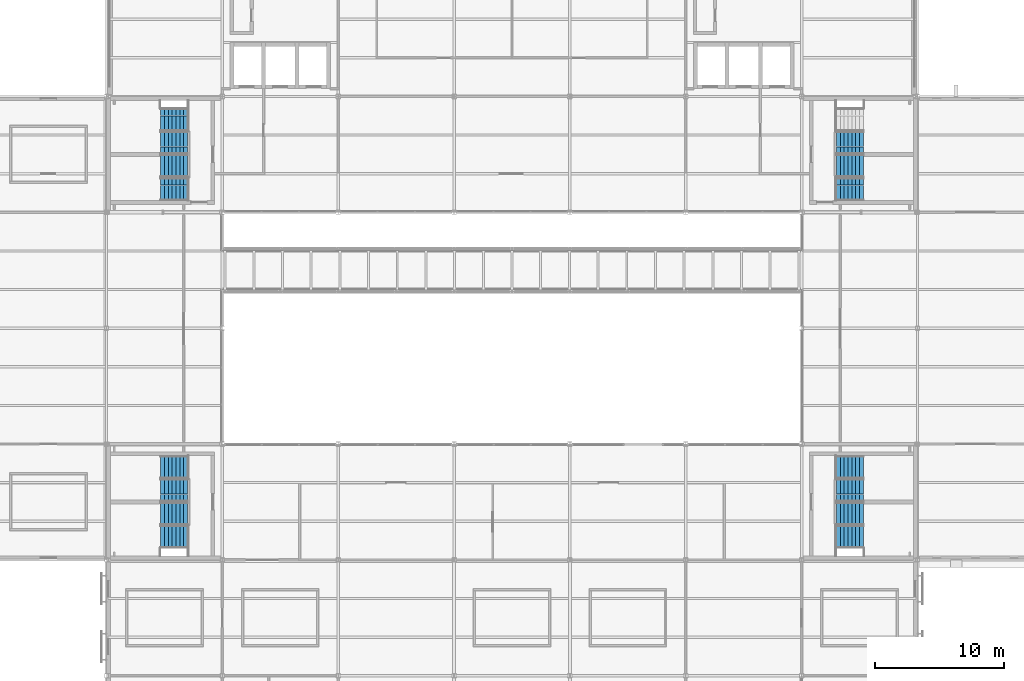
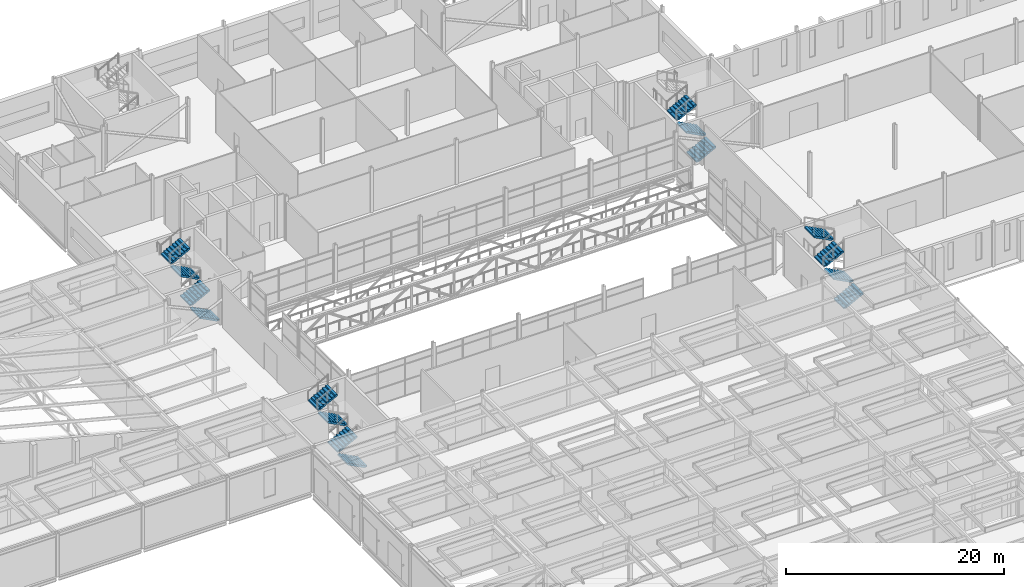
# One storey, part 92 of 115: 15 stair flights, 4 elements without a shape of their own.
"""IFC4 building model written with IfcOpenShell, lengths in metres."""

from ifc_helpers import new_model, si_unit, direction, frame, origin, place, context, subcontext, project, spatial, polyline, outline, extrude, material, type_object, element, aggregate, save


model = new_model("IFC4")

# Units and contexts
model_context = context("Model", 3, precision=1e-05, world=origin(), true_north=direction((0.0, 1.0)))
body_context = subcontext(model_context, "Body", "Model", "MODEL_VIEW")
ifc_project = project(units=[si_unit("LENGTHUNIT", "METRE"), si_unit("AREAUNIT", "SQUARE_METRE"), si_unit("VOLUMEUNIT", "CUBIC_METRE"), si_unit("PLANEANGLEUNIT", "RADIAN"), si_unit("MASSUNIT", "GRAM", prefix="KILO")], contexts=[model_context])

# Site, building, storey
site_placement = place(None, origin())
site = spatial("IfcSite", under=ifc_project, at=site_placement, CompositionType="ELEMENT")
building_placement = place(site_placement, origin())
building = spatial("IfcBuilding", under=site, at=building_placement, Name="Shorebreak Coast Museum", CompositionType="ELEMENT")
storey_placement = place(building_placement, frame((0.0, 0.0, 11.0)))
storey = spatial("IfcBuildingStorey", under=building, at=storey_placement, Name="L02", CompositionType="ELEMENT", Elevation=11.0)

# Stair, stair flights
ifc_material_1 = material(Name="Concrete N40 (40 MPa)", Category="concrete")
stair_type = type_object("IfcStairType", Name="Stair run 5 m", PredefinedType="DOUBLE_RETURN_STAIR", material=ifc_material_1)
stair_1_placement = place(storey_placement, origin())
stair_1 = element("IfcStair", 1, at=stair_1_placement, inside=storey, type_object=stair_type, Name="Exit stair ST01-L02", PredefinedType="DOUBLE_RETURN_STAIR")
ifc_material_2 = material(Name="Concrete N40 (40 MPa)", Category="concrete")
stair_flight_type = type_object("IfcStairFlightType", Name="Stair flight 8 risers 156.25", PredefinedType="STRAIGHT", material=ifc_material_2)
stair_flight_1_placement = place(storey_placement, frame((60.300048828125, 55.800048828125, 0.0), z_axis=(0.0, 0.0, 1.0), x_axis=(-1.0, 0.0, 0.0)))
stair_flight_1 = element("IfcStairFlight", 2, at=stair_flight_1_placement, type_object=stair_flight_type, Name="ST01-L02 flight 1", NumberOfRisers=8, NumberOfTreads=7, PredefinedType="STRAIGHT", RiserHeight=0.15625, TreadLength=0.3, context=body_context, shape_type="SweptSolid", body=[
    extrude(outline(polyline([(0.0, 0.0), (0.0, 0.15625), (0.300048828125, 0.15625), (0.300048828125, 0.3125), (0.60009765625, 0.3125), (0.60009765625, 0.46875), (0.89990234375, 0.46875), (0.89990234375, 0.625), (1.199951171875, 0.625), (1.199951171875, 0.78125), (1.5, 0.78125), (1.5, 0.9375), (1.800048828125, 0.9375), (1.800048828125, 1.09375), (2.10009765625, 1.09375), (2.10009765625, 1.25), (2.10009765625, 0.9248046875), (0.324462890625, 0.0), (0.0, 0.0)])), frame((0.0, 0.89990234375, 0.0), z_axis=(0.0, -1.0, 0.0), x_axis=(1.0, 0.0, 0.0)), (0.0, 0.0, 1.0), 0.59326171875),
    extrude(outline(polyline([(0.0, 0.0), (0.0, 0.15625), (0.300048828125, 0.15625), (0.300048828125, 0.3125), (0.60009765625, 0.3125), (0.60009765625, 0.46875), (0.89990234375, 0.46875), (0.89990234375, 0.625), (1.199951171875, 0.625), (1.199951171875, 0.78125), (1.5, 0.78125), (1.5, 0.9375), (1.800048828125, 0.9375), (1.800048828125, 1.09375), (2.10009765625, 1.09375), (2.10009765625, 1.25), (2.10009765625, 0.9248046875), (0.324462890625, 0.0), (0.0, 0.0)])), frame((0.0, 0.296630859375, 0.0), z_axis=(0.0, -1.0, 0.0), x_axis=(1.0, 0.0, 0.0)), (0.0, 0.0, 1.0), 0.59326171875),
    extrude(outline(polyline([(0.0, 0.0), (0.0, 0.15625), (0.300048828125, 0.15625), (0.300048828125, 0.3125), (0.60009765625, 0.3125), (0.60009765625, 0.46875), (0.89990234375, 0.46875), (0.89990234375, 0.625), (1.199951171875, 0.625), (1.199951171875, 0.78125), (1.5, 0.78125), (1.5, 0.9375), (1.800048828125, 0.9375), (1.800048828125, 1.09375), (2.10009765625, 1.09375), (2.10009765625, 1.25), (2.10009765625, 0.9248046875), (0.324462890625, 0.0), (0.0, 0.0)])), frame((0.0, -0.306640625, 0.0), z_axis=(0.0, -1.0, 0.0), x_axis=(1.0, 0.0, 0.0)), (0.0, 0.0, 1.0), 0.59326171875),
])
stair_flight_2_placement = place(storey_placement, frame((58.199951171875, 57.60009765625, 1.25), z_axis=(0.0, 0.0, 1.0), x_axis=(1.0, 0.0, 0.0)))
stair_flight_2 = element("IfcStairFlight", 3, at=stair_flight_2_placement, type_object=stair_flight_type, Name="ST01-L02 flight 2", NumberOfRisers=8, NumberOfTreads=7, PredefinedType="STRAIGHT", RiserHeight=0.15625, TreadLength=0.3, context=body_context, shape_type="SweptSolid", body=[
    extrude(outline(polyline([(0.0, 0.0), (0.0, 0.15625), (0.300048828125, 0.15625), (0.300048828125, 0.3125), (0.60009765625, 0.3125), (0.60009765625, 0.46875), (0.89990234375, 0.46875), (0.89990234375, 0.625), (1.199951171875, 0.625), (1.199951171875, 0.78125), (1.5, 0.78125), (1.5, 0.9375), (1.800048828125, 0.9375), (1.800048828125, 1.09375), (2.10009765625, 1.09375), (2.10009765625, 1.25), (2.10009765625, 0.9248046875), (0.324462890625, 0.0), (0.0, 0.0)])), frame((0.0, 0.89990234375, 0.0), z_axis=(0.0, -1.0, 0.0), x_axis=(1.0, 0.0, 0.0)), (0.0, 0.0, 1.0), 0.59326171875),
    extrude(outline(polyline([(0.0, 0.0), (0.0, 0.15625), (0.300048828125, 0.15625), (0.300048828125, 0.3125), (0.60009765625, 0.3125), (0.60009765625, 0.46875), (0.89990234375, 0.46875), (0.89990234375, 0.625), (1.199951171875, 0.625), (1.199951171875, 0.78125), (1.5, 0.78125), (1.5, 0.9375), (1.800048828125, 0.9375), (1.800048828125, 1.09375), (2.10009765625, 1.09375), (2.10009765625, 1.25), (2.10009765625, 0.9248046875), (0.324462890625, 0.0), (0.0, 0.0)])), frame((0.0, 0.296630859375, 0.0), z_axis=(0.0, -1.0, 0.0), x_axis=(1.0, 0.0, 0.0)), (0.0, 0.0, 1.0), 0.59326171875),
    extrude(outline(polyline([(0.0, 0.0), (0.0, 0.15625), (0.300048828125, 0.15625), (0.300048828125, 0.3125), (0.60009765625, 0.3125), (0.60009765625, 0.46875), (0.89990234375, 0.46875), (0.89990234375, 0.625), (1.199951171875, 0.625), (1.199951171875, 0.78125), (1.5, 0.78125), (1.5, 0.9375), (1.800048828125, 0.9375), (1.800048828125, 1.09375), (2.10009765625, 1.09375), (2.10009765625, 1.25), (2.10009765625, 0.9248046875), (0.324462890625, 0.0), (0.0, 0.0)])), frame((0.0, -0.306640625, 0.0), z_axis=(0.0, -1.0, 0.0), x_axis=(1.0, 0.0, 0.0)), (0.0, 0.0, 1.0), 0.59326171875),
])
stair_flight_3_placement = place(storey_placement, frame((60.300048828125, 59.39990234375, 2.5), z_axis=(0.0, 0.0, 1.0), x_axis=(-1.0, 0.0, 0.0)))
stair_flight_3 = element("IfcStairFlight", 4, at=stair_flight_3_placement, type_object=stair_flight_type, Name="ST01-L02 flight 3", NumberOfRisers=8, NumberOfTreads=7, PredefinedType="STRAIGHT", RiserHeight=0.15625, TreadLength=0.3, context=body_context, shape_type="SweptSolid", body=[
    extrude(outline(polyline([(0.0, 0.0), (0.0, 0.15625), (0.300048828125, 0.15625), (0.300048828125, 0.3125), (0.60009765625, 0.3125), (0.60009765625, 0.46875), (0.89990234375, 0.46875), (0.89990234375, 0.625), (1.199951171875, 0.625), (1.199951171875, 0.78125), (1.5, 0.78125), (1.5, 0.9375), (1.800048828125, 0.9375), (1.800048828125, 1.09375), (2.10009765625, 1.09375), (2.10009765625, 1.25), (2.10009765625, 0.9248046875), (0.324462890625, 0.0), (0.0, 0.0)])), frame((0.0, 0.89990234375, 0.0), z_axis=(0.0, -1.0, 0.0), x_axis=(1.0, 0.0, 0.0)), (0.0, 0.0, 1.0), 0.59326171875),
    extrude(outline(polyline([(0.0, 0.0), (0.0, 0.15625), (0.300048828125, 0.15625), (0.300048828125, 0.3125), (0.60009765625, 0.3125), (0.60009765625, 0.46875), (0.89990234375, 0.46875), (0.89990234375, 0.625), (1.199951171875, 0.625), (1.199951171875, 0.78125), (1.5, 0.78125), (1.5, 0.9375), (1.800048828125, 0.9375), (1.800048828125, 1.09375), (2.10009765625, 1.09375), (2.10009765625, 1.25), (2.10009765625, 0.9248046875), (0.324462890625, 0.0), (0.0, 0.0)])), frame((0.0, 0.296630859375, 0.0), z_axis=(0.0, -1.0, 0.0), x_axis=(1.0, 0.0, 0.0)), (0.0, 0.0, 1.0), 0.59326171875),
    extrude(outline(polyline([(0.0, 0.0), (0.0, 0.15625), (0.300048828125, 0.15625), (0.300048828125, 0.3125), (0.60009765625, 0.3125), (0.60009765625, 0.46875), (0.89990234375, 0.46875), (0.89990234375, 0.625), (1.199951171875, 0.625), (1.199951171875, 0.78125), (1.5, 0.78125), (1.5, 0.9375), (1.800048828125, 0.9375), (1.800048828125, 1.09375), (2.10009765625, 1.09375), (2.10009765625, 1.25), (2.10009765625, 0.9248046875), (0.324462890625, 0.0), (0.0, 0.0)])), frame((0.0, -0.306640625, 0.0), z_axis=(0.0, -1.0, 0.0), x_axis=(1.0, 0.0, 0.0)), (0.0, 0.0, 1.0), 0.59326171875),
])
stair_flight_4_placement = place(storey_placement, frame((58.199951171875, 61.199951171875, 3.75), z_axis=(0.0, 0.0, 1.0), x_axis=(1.0, 0.0, 0.0)))
stair_flight_4 = element("IfcStairFlight", 5, at=stair_flight_4_placement, type_object=stair_flight_type, Name="ST01-L02 flight 4", NumberOfRisers=8, NumberOfTreads=7, PredefinedType="STRAIGHT", RiserHeight=0.15625, TreadLength=0.3, context=body_context, shape_type="SweptSolid", body=[
    extrude(outline(polyline([(0.0, 0.0), (0.0, 0.15625), (0.300048828125, 0.15625), (0.300048828125, 0.3125), (0.60009765625, 0.3125), (0.60009765625, 0.46875), (0.89990234375, 0.46875), (0.89990234375, 0.625), (1.199951171875, 0.625), (1.199951171875, 0.78125), (1.5, 0.78125), (1.5, 0.9375), (1.800048828125, 0.9375), (1.800048828125, 1.09375), (2.10009765625, 1.09375), (2.10009765625, 1.25), (2.10009765625, 0.9248046875), (0.324462890625, 0.0), (0.0, 0.0)])), frame((0.0, 0.89990234375, 0.0), z_axis=(0.0, -1.0, 0.0), x_axis=(1.0, 0.0, 0.0)), (0.0, 0.0, 1.0), 0.59326171875),
    extrude(outline(polyline([(0.0, 0.0), (0.0, 0.15625), (0.300048828125, 0.15625), (0.300048828125, 0.3125), (0.60009765625, 0.3125), (0.60009765625, 0.46875), (0.89990234375, 0.46875), (0.89990234375, 0.625), (1.199951171875, 0.625), (1.199951171875, 0.78125), (1.5, 0.78125), (1.5, 0.9375), (1.800048828125, 0.9375), (1.800048828125, 1.09375), (2.10009765625, 1.09375), (2.10009765625, 1.25), (2.10009765625, 0.9248046875), (0.324462890625, 0.0), (0.0, 0.0)])), frame((0.0, 0.296630859375, 0.0), z_axis=(0.0, -1.0, 0.0), x_axis=(1.0, 0.0, 0.0)), (0.0, 0.0, 1.0), 0.59326171875),
    extrude(outline(polyline([(0.0, 0.0), (0.0, 0.15625), (0.300048828125, 0.15625), (0.300048828125, 0.3125), (0.60009765625, 0.3125), (0.60009765625, 0.46875), (0.89990234375, 0.46875), (0.89990234375, 0.625), (1.199951171875, 0.625), (1.199951171875, 0.78125), (1.5, 0.78125), (1.5, 0.9375), (1.800048828125, 0.9375), (1.800048828125, 1.09375), (2.10009765625, 1.09375), (2.10009765625, 1.25), (2.10009765625, 0.9248046875), (0.324462890625, 0.0), (0.0, 0.0)])), frame((0.0, -0.306640625, 0.0), z_axis=(0.0, -1.0, 0.0), x_axis=(1.0, 0.0, 0.0)), (0.0, 0.0, 1.0), 0.59326171875),
])
aggregate(stair_1, [stair_flight_1, stair_flight_2, stair_flight_3, stair_flight_4])

stair_2_placement = place(storey_placement, origin())
stair_2 = element("IfcStair", 6, at=stair_2_placement, inside=storey, type_object=stair_type, Name="Exit stair ST02-L02", PredefinedType="DOUBLE_RETURN_STAIR")
stair_flight_5_placement = place(storey_placement, frame((110.699951171875, 55.800048828125, 0.0), z_axis=(0.0, 0.0, 1.0), x_axis=(1.0, 0.0, 0.0)))
stair_flight_5 = element("IfcStairFlight", 7, at=stair_flight_5_placement, type_object=stair_flight_type, Name="ST02-L02 flight 1", NumberOfRisers=8, NumberOfTreads=7, PredefinedType="STRAIGHT", RiserHeight=0.15625, TreadLength=0.3, context=body_context, shape_type="SweptSolid", body=[
    extrude(outline(polyline([(0.0, 0.0), (0.0, 0.15625), (0.300048828125, 0.15625), (0.300048828125, 0.3125), (0.60009765625, 0.3125), (0.60009765625, 0.46875), (0.89990234375, 0.46875), (0.89990234375, 0.625), (1.199951171875, 0.625), (1.199951171875, 0.78125), (1.5, 0.78125), (1.5, 0.9375), (1.800048828125, 0.9375), (1.800048828125, 1.09375), (2.10009765625, 1.09375), (2.10009765625, 1.25), (2.10009765625, 0.9248046875), (0.324462890625, 0.0), (0.0, 0.0)])), frame((0.0, 0.89990234375, 0.0), z_axis=(0.0, -1.0, 0.0), x_axis=(1.0, 0.0, 0.0)), (0.0, 0.0, 1.0), 0.59326171875),
    extrude(outline(polyline([(0.0, 0.0), (0.0, 0.15625), (0.300048828125, 0.15625), (0.300048828125, 0.3125), (0.60009765625, 0.3125), (0.60009765625, 0.46875), (0.89990234375, 0.46875), (0.89990234375, 0.625), (1.199951171875, 0.625), (1.199951171875, 0.78125), (1.5, 0.78125), (1.5, 0.9375), (1.800048828125, 0.9375), (1.800048828125, 1.09375), (2.10009765625, 1.09375), (2.10009765625, 1.25), (2.10009765625, 0.9248046875), (0.324462890625, 0.0), (0.0, 0.0)])), frame((0.0, 0.296630859375, 0.0), z_axis=(0.0, -1.0, 0.0), x_axis=(1.0, 0.0, 0.0)), (0.0, 0.0, 1.0), 0.59326171875),
    extrude(outline(polyline([(0.0, 0.0), (0.0, 0.15625), (0.300048828125, 0.15625), (0.300048828125, 0.3125), (0.60009765625, 0.3125), (0.60009765625, 0.46875), (0.89990234375, 0.46875), (0.89990234375, 0.625), (1.199951171875, 0.625), (1.199951171875, 0.78125), (1.5, 0.78125), (1.5, 0.9375), (1.800048828125, 0.9375), (1.800048828125, 1.09375), (2.10009765625, 1.09375), (2.10009765625, 1.25), (2.10009765625, 0.9248046875), (0.324462890625, 0.0), (0.0, 0.0)])), frame((0.0, -0.306640625, 0.0), z_axis=(0.0, -1.0, 0.0), x_axis=(1.0, 0.0, 0.0)), (0.0, 0.0, 1.0), 0.59326171875),
])
stair_flight_6_placement = place(storey_placement, frame((112.800048828125, 57.60009765625, 1.25), z_axis=(0.0, 0.0, 1.0), x_axis=(-1.0, 0.0, 0.0)))
stair_flight_6 = element("IfcStairFlight", 8, at=stair_flight_6_placement, type_object=stair_flight_type, Name="ST02-L02 flight 2", NumberOfRisers=8, NumberOfTreads=7, PredefinedType="STRAIGHT", RiserHeight=0.15625, TreadLength=0.3, context=body_context, shape_type="SweptSolid", body=[
    extrude(outline(polyline([(0.0, 0.0), (0.0, 0.15625), (0.300048828125, 0.15625), (0.300048828125, 0.3125), (0.60009765625, 0.3125), (0.60009765625, 0.46875), (0.89990234375, 0.46875), (0.89990234375, 0.625), (1.199951171875, 0.625), (1.199951171875, 0.78125), (1.5, 0.78125), (1.5, 0.9375), (1.800048828125, 0.9375), (1.800048828125, 1.09375), (2.10009765625, 1.09375), (2.10009765625, 1.25), (2.10009765625, 0.9248046875), (0.324462890625, 0.0), (0.0, 0.0)])), frame((0.0, 0.89990234375, 0.0), z_axis=(0.0, -1.0, 0.0), x_axis=(1.0, 0.0, 0.0)), (0.0, 0.0, 1.0), 0.59326171875),
    extrude(outline(polyline([(0.0, 0.0), (0.0, 0.15625), (0.300048828125, 0.15625), (0.300048828125, 0.3125), (0.60009765625, 0.3125), (0.60009765625, 0.46875), (0.89990234375, 0.46875), (0.89990234375, 0.625), (1.199951171875, 0.625), (1.199951171875, 0.78125), (1.5, 0.78125), (1.5, 0.9375), (1.800048828125, 0.9375), (1.800048828125, 1.09375), (2.10009765625, 1.09375), (2.10009765625, 1.25), (2.10009765625, 0.9248046875), (0.324462890625, 0.0), (0.0, 0.0)])), frame((0.0, 0.296630859375, 0.0), z_axis=(0.0, -1.0, 0.0), x_axis=(1.0, 0.0, 0.0)), (0.0, 0.0, 1.0), 0.59326171875),
    extrude(outline(polyline([(0.0, 0.0), (0.0, 0.15625), (0.300048828125, 0.15625), (0.300048828125, 0.3125), (0.60009765625, 0.3125), (0.60009765625, 0.46875), (0.89990234375, 0.46875), (0.89990234375, 0.625), (1.199951171875, 0.625), (1.199951171875, 0.78125), (1.5, 0.78125), (1.5, 0.9375), (1.800048828125, 0.9375), (1.800048828125, 1.09375), (2.10009765625, 1.09375), (2.10009765625, 1.25), (2.10009765625, 0.9248046875), (0.324462890625, 0.0), (0.0, 0.0)])), frame((0.0, -0.306640625, 0.0), z_axis=(0.0, -1.0, 0.0), x_axis=(1.0, 0.0, 0.0)), (0.0, 0.0, 1.0), 0.59326171875),
])
stair_flight_7_placement = place(storey_placement, frame((110.699951171875, 59.39990234375, 2.5), z_axis=(0.0, 0.0, 1.0), x_axis=(1.0, 0.0, 0.0)))
stair_flight_7 = element("IfcStairFlight", 9, at=stair_flight_7_placement, type_object=stair_flight_type, Name="ST02-L02 flight 3", NumberOfRisers=8, NumberOfTreads=7, PredefinedType="STRAIGHT", RiserHeight=0.15625, TreadLength=0.3, context=body_context, shape_type="SweptSolid", body=[
    extrude(outline(polyline([(0.0, 0.0), (0.0, 0.15625), (0.300048828125, 0.15625), (0.300048828125, 0.3125), (0.60009765625, 0.3125), (0.60009765625, 0.46875), (0.89990234375, 0.46875), (0.89990234375, 0.625), (1.199951171875, 0.625), (1.199951171875, 0.78125), (1.5, 0.78125), (1.5, 0.9375), (1.800048828125, 0.9375), (1.800048828125, 1.09375), (2.10009765625, 1.09375), (2.10009765625, 1.25), (2.10009765625, 0.9248046875), (0.324462890625, 0.0), (0.0, 0.0)])), frame((0.0, 0.89990234375, 0.0), z_axis=(0.0, -1.0, 0.0), x_axis=(1.0, 0.0, 0.0)), (0.0, 0.0, 1.0), 0.59326171875),
    extrude(outline(polyline([(0.0, 0.0), (0.0, 0.15625), (0.300048828125, 0.15625), (0.300048828125, 0.3125), (0.60009765625, 0.3125), (0.60009765625, 0.46875), (0.89990234375, 0.46875), (0.89990234375, 0.625), (1.199951171875, 0.625), (1.199951171875, 0.78125), (1.5, 0.78125), (1.5, 0.9375), (1.800048828125, 0.9375), (1.800048828125, 1.09375), (2.10009765625, 1.09375), (2.10009765625, 1.25), (2.10009765625, 0.9248046875), (0.324462890625, 0.0), (0.0, 0.0)])), frame((0.0, 0.296630859375, 0.0), z_axis=(0.0, -1.0, 0.0), x_axis=(1.0, 0.0, 0.0)), (0.0, 0.0, 1.0), 0.59326171875),
    extrude(outline(polyline([(0.0, 0.0), (0.0, 0.15625), (0.300048828125, 0.15625), (0.300048828125, 0.3125), (0.60009765625, 0.3125), (0.60009765625, 0.46875), (0.89990234375, 0.46875), (0.89990234375, 0.625), (1.199951171875, 0.625), (1.199951171875, 0.78125), (1.5, 0.78125), (1.5, 0.9375), (1.800048828125, 0.9375), (1.800048828125, 1.09375), (2.10009765625, 1.09375), (2.10009765625, 1.25), (2.10009765625, 0.9248046875), (0.324462890625, 0.0), (0.0, 0.0)])), frame((0.0, -0.306640625, 0.0), z_axis=(0.0, -1.0, 0.0), x_axis=(1.0, 0.0, 0.0)), (0.0, 0.0, 1.0), 0.59326171875),
])
stair_flight_8_placement = place(storey_placement, frame((112.800048828125, 61.199951171875, 3.75), z_axis=(0.0, 0.0, 1.0), x_axis=(-1.0, 0.0, 0.0)))
stair_flight_8 = element("IfcStairFlight", 10, at=stair_flight_8_placement, type_object=stair_flight_type, Name="ST02-L02 flight 4", NumberOfRisers=8, NumberOfTreads=7, PredefinedType="STRAIGHT", RiserHeight=0.15625, TreadLength=0.3, context=body_context, shape_type="SweptSolid", body=[
    extrude(outline(polyline([(0.0, 0.0), (0.0, 0.15625), (0.300048828125, 0.15625), (0.300048828125, 0.3125), (0.60009765625, 0.3125), (0.60009765625, 0.46875), (0.89990234375, 0.46875), (0.89990234375, 0.625), (1.199951171875, 0.625), (1.199951171875, 0.78125), (1.5, 0.78125), (1.5, 0.9375), (1.800048828125, 0.9375), (1.800048828125, 1.09375), (2.10009765625, 1.09375), (2.10009765625, 1.25), (2.10009765625, 0.9248046875), (0.324462890625, 0.0), (0.0, 0.0)])), frame((0.0, 0.89990234375, 0.0), z_axis=(0.0, -1.0, 0.0), x_axis=(1.0, 0.0, 0.0)), (0.0, 0.0, 1.0), 0.59326171875),
    extrude(outline(polyline([(0.0, 0.0), (0.0, 0.15625), (0.300048828125, 0.15625), (0.300048828125, 0.3125), (0.60009765625, 0.3125), (0.60009765625, 0.46875), (0.89990234375, 0.46875), (0.89990234375, 0.625), (1.199951171875, 0.625), (1.199951171875, 0.78125), (1.5, 0.78125), (1.5, 0.9375), (1.800048828125, 0.9375), (1.800048828125, 1.09375), (2.10009765625, 1.09375), (2.10009765625, 1.25), (2.10009765625, 0.9248046875), (0.324462890625, 0.0), (0.0, 0.0)])), frame((0.0, 0.296630859375, 0.0), z_axis=(0.0, -1.0, 0.0), x_axis=(1.0, 0.0, 0.0)), (0.0, 0.0, 1.0), 0.59326171875),
    extrude(outline(polyline([(0.0, 0.0), (0.0, 0.15625), (0.300048828125, 0.15625), (0.300048828125, 0.3125), (0.60009765625, 0.3125), (0.60009765625, 0.46875), (0.89990234375, 0.46875), (0.89990234375, 0.625), (1.199951171875, 0.625), (1.199951171875, 0.78125), (1.5, 0.78125), (1.5, 0.9375), (1.800048828125, 0.9375), (1.800048828125, 1.09375), (2.10009765625, 1.09375), (2.10009765625, 1.25), (2.10009765625, 0.9248046875), (0.324462890625, 0.0), (0.0, 0.0)])), frame((0.0, -0.306640625, 0.0), z_axis=(0.0, -1.0, 0.0), x_axis=(1.0, 0.0, 0.0)), (0.0, 0.0, 1.0), 0.59326171875),
])
aggregate(stair_2, [stair_flight_5, stair_flight_6, stair_flight_7, stair_flight_8])

stair_3_placement = place(storey_placement, origin())
stair_3 = element("IfcStair", 11, at=stair_3_placement, inside=storey, type_object=stair_type, Name="Exit stair ST03-L02", PredefinedType="DOUBLE_RETURN_STAIR")
stair_flight_9_placement = place(storey_placement, frame((60.300048828125, 82.800048828125, 0.0), z_axis=(0.0, 0.0, 1.0), x_axis=(-1.0, 0.0, 0.0)))
stair_flight_9 = element("IfcStairFlight", 12, at=stair_flight_9_placement, type_object=stair_flight_type, Name="ST03-L02 flight 1", NumberOfRisers=8, NumberOfTreads=7, PredefinedType="STRAIGHT", RiserHeight=0.15625, TreadLength=0.3, context=body_context, shape_type="SweptSolid", body=[
    extrude(outline(polyline([(0.0, 0.0), (0.0, 0.15625), (0.300048828125, 0.15625), (0.300048828125, 0.3125), (0.60009765625, 0.3125), (0.60009765625, 0.46875), (0.89990234375, 0.46875), (0.89990234375, 0.625), (1.199951171875, 0.625), (1.199951171875, 0.78125), (1.5, 0.78125), (1.5, 0.9375), (1.800048828125, 0.9375), (1.800048828125, 1.09375), (2.10009765625, 1.09375), (2.10009765625, 1.25), (2.10009765625, 0.9248046875), (0.324462890625, 0.0), (0.0, 0.0)])), frame((0.0, 0.89990234375, 0.0), z_axis=(0.0, -1.0, 0.0), x_axis=(1.0, 0.0, 0.0)), (0.0, 0.0, 1.0), 0.59326171875),
    extrude(outline(polyline([(0.0, 0.0), (0.0, 0.15625), (0.300048828125, 0.15625), (0.300048828125, 0.3125), (0.60009765625, 0.3125), (0.60009765625, 0.46875), (0.89990234375, 0.46875), (0.89990234375, 0.625), (1.199951171875, 0.625), (1.199951171875, 0.78125), (1.5, 0.78125), (1.5, 0.9375), (1.800048828125, 0.9375), (1.800048828125, 1.09375), (2.10009765625, 1.09375), (2.10009765625, 1.25), (2.10009765625, 0.9248046875), (0.324462890625, 0.0), (0.0, 0.0)])), frame((0.0, 0.296630859375, 0.0), z_axis=(0.0, -1.0, 0.0), x_axis=(1.0, 0.0, 0.0)), (0.0, 0.0, 1.0), 0.59326171875),
    extrude(outline(polyline([(0.0, 0.0), (0.0, 0.15625), (0.300048828125, 0.15625), (0.300048828125, 0.3125), (0.60009765625, 0.3125), (0.60009765625, 0.46875), (0.89990234375, 0.46875), (0.89990234375, 0.625), (1.199951171875, 0.625), (1.199951171875, 0.78125), (1.5, 0.78125), (1.5, 0.9375), (1.800048828125, 0.9375), (1.800048828125, 1.09375), (2.10009765625, 1.09375), (2.10009765625, 1.25), (2.10009765625, 0.9248046875), (0.324462890625, 0.0), (0.0, 0.0)])), frame((0.0, -0.306640625, 0.0), z_axis=(0.0, -1.0, 0.0), x_axis=(1.0, 0.0, 0.0)), (0.0, 0.0, 1.0), 0.59326171875),
])
stair_flight_10_placement = place(storey_placement, frame((58.199951171875, 84.60009765625, 1.25), z_axis=(0.0, 0.0, 1.0), x_axis=(1.0, 0.0, 0.0)))
stair_flight_10 = element("IfcStairFlight", 13, at=stair_flight_10_placement, type_object=stair_flight_type, Name="ST03-L02 flight 2", NumberOfRisers=8, NumberOfTreads=7, PredefinedType="STRAIGHT", RiserHeight=0.15625, TreadLength=0.3, context=body_context, shape_type="SweptSolid", body=[
    extrude(outline(polyline([(0.0, 0.0), (0.0, 0.15625), (0.300048828125, 0.15625), (0.300048828125, 0.3125), (0.60009765625, 0.3125), (0.60009765625, 0.46875), (0.89990234375, 0.46875), (0.89990234375, 0.625), (1.199951171875, 0.625), (1.199951171875, 0.78125), (1.5, 0.78125), (1.5, 0.9375), (1.800048828125, 0.9375), (1.800048828125, 1.09375), (2.10009765625, 1.09375), (2.10009765625, 1.25), (2.10009765625, 0.9248046875), (0.324462890625, 0.0), (0.0, 0.0)])), frame((0.0, 0.89990234375, 0.0), z_axis=(0.0, -1.0, 0.0), x_axis=(1.0, 0.0, 0.0)), (0.0, 0.0, 1.0), 0.59326171875),
    extrude(outline(polyline([(0.0, 0.0), (0.0, 0.15625), (0.300048828125, 0.15625), (0.300048828125, 0.3125), (0.60009765625, 0.3125), (0.60009765625, 0.46875), (0.89990234375, 0.46875), (0.89990234375, 0.625), (1.199951171875, 0.625), (1.199951171875, 0.78125), (1.5, 0.78125), (1.5, 0.9375), (1.800048828125, 0.9375), (1.800048828125, 1.09375), (2.10009765625, 1.09375), (2.10009765625, 1.25), (2.10009765625, 0.9248046875), (0.324462890625, 0.0), (0.0, 0.0)])), frame((0.0, 0.296630859375, 0.0), z_axis=(0.0, -1.0, 0.0), x_axis=(1.0, 0.0, 0.0)), (0.0, 0.0, 1.0), 0.59326171875),
    extrude(outline(polyline([(0.0, 0.0), (0.0, 0.15625), (0.300048828125, 0.15625), (0.300048828125, 0.3125), (0.60009765625, 0.3125), (0.60009765625, 0.46875), (0.89990234375, 0.46875), (0.89990234375, 0.625), (1.199951171875, 0.625), (1.199951171875, 0.78125), (1.5, 0.78125), (1.5, 0.9375), (1.800048828125, 0.9375), (1.800048828125, 1.09375), (2.10009765625, 1.09375), (2.10009765625, 1.25), (2.10009765625, 0.9248046875), (0.324462890625, 0.0), (0.0, 0.0)])), frame((0.0, -0.306640625, 0.0), z_axis=(0.0, -1.0, 0.0), x_axis=(1.0, 0.0, 0.0)), (0.0, 0.0, 1.0), 0.59326171875),
])
stair_flight_11_placement = place(storey_placement, frame((60.300048828125, 86.39990234375, 2.5), z_axis=(0.0, 0.0, 1.0), x_axis=(-1.0, 0.0, 0.0)))
stair_flight_11 = element("IfcStairFlight", 14, at=stair_flight_11_placement, type_object=stair_flight_type, Name="ST03-L02 flight 3", NumberOfRisers=8, NumberOfTreads=7, PredefinedType="STRAIGHT", RiserHeight=0.15625, TreadLength=0.3, context=body_context, shape_type="SweptSolid", body=[
    extrude(outline(polyline([(0.0, 0.0), (0.0, 0.15625), (0.300048828125, 0.15625), (0.300048828125, 0.3125), (0.60009765625, 0.3125), (0.60009765625, 0.46875), (0.89990234375, 0.46875), (0.89990234375, 0.625), (1.199951171875, 0.625), (1.199951171875, 0.78125), (1.5, 0.78125), (1.5, 0.9375), (1.800048828125, 0.9375), (1.800048828125, 1.09375), (2.10009765625, 1.09375), (2.10009765625, 1.25), (2.10009765625, 0.9248046875), (0.324462890625, 0.0), (0.0, 0.0)])), frame((0.0, 0.89990234375, 0.0), z_axis=(0.0, -1.0, 0.0), x_axis=(1.0, 0.0, 0.0)), (0.0, 0.0, 1.0), 0.59326171875),
    extrude(outline(polyline([(0.0, 0.0), (0.0, 0.15625), (0.300048828125, 0.15625), (0.300048828125, 0.3125), (0.60009765625, 0.3125), (0.60009765625, 0.46875), (0.89990234375, 0.46875), (0.89990234375, 0.625), (1.199951171875, 0.625), (1.199951171875, 0.78125), (1.5, 0.78125), (1.5, 0.9375), (1.800048828125, 0.9375), (1.800048828125, 1.09375), (2.10009765625, 1.09375), (2.10009765625, 1.25), (2.10009765625, 0.9248046875), (0.324462890625, 0.0), (0.0, 0.0)])), frame((0.0, 0.296630859375, 0.0), z_axis=(0.0, -1.0, 0.0), x_axis=(1.0, 0.0, 0.0)), (0.0, 0.0, 1.0), 0.59326171875),
    extrude(outline(polyline([(0.0, 0.0), (0.0, 0.15625), (0.300048828125, 0.15625), (0.300048828125, 0.3125), (0.60009765625, 0.3125), (0.60009765625, 0.46875), (0.89990234375, 0.46875), (0.89990234375, 0.625), (1.199951171875, 0.625), (1.199951171875, 0.78125), (1.5, 0.78125), (1.5, 0.9375), (1.800048828125, 0.9375), (1.800048828125, 1.09375), (2.10009765625, 1.09375), (2.10009765625, 1.25), (2.10009765625, 0.9248046875), (0.324462890625, 0.0), (0.0, 0.0)])), frame((0.0, -0.306640625, 0.0), z_axis=(0.0, -1.0, 0.0), x_axis=(1.0, 0.0, 0.0)), (0.0, 0.0, 1.0), 0.59326171875),
])
stair_flight_12_placement = place(storey_placement, frame((58.199951171875, 88.199951171875, 3.75), z_axis=(0.0, 0.0, 1.0), x_axis=(1.0, 0.0, 0.0)))
stair_flight_12 = element("IfcStairFlight", 15, at=stair_flight_12_placement, type_object=stair_flight_type, Name="ST03-L02 flight 4", NumberOfRisers=8, NumberOfTreads=7, PredefinedType="STRAIGHT", RiserHeight=0.15625, TreadLength=0.3, context=body_context, shape_type="SweptSolid", body=[
    extrude(outline(polyline([(0.0, 0.0), (0.0, 0.15625), (0.300048828125, 0.15625), (0.300048828125, 0.3125), (0.60009765625, 0.3125), (0.60009765625, 0.46875), (0.89990234375, 0.46875), (0.89990234375, 0.625), (1.199951171875, 0.625), (1.199951171875, 0.78125), (1.5, 0.78125), (1.5, 0.9375), (1.800048828125, 0.9375), (1.800048828125, 1.09375), (2.10009765625, 1.09375), (2.10009765625, 1.25), (2.10009765625, 0.9248046875), (0.324462890625, 0.0), (0.0, 0.0)])), frame((0.0, 0.89990234375, 0.0), z_axis=(0.0, -1.0, 0.0), x_axis=(1.0, 0.0, 0.0)), (0.0, 0.0, 1.0), 0.59326171875),
    extrude(outline(polyline([(0.0, 0.0), (0.0, 0.15625), (0.300048828125, 0.15625), (0.300048828125, 0.3125), (0.60009765625, 0.3125), (0.60009765625, 0.46875), (0.89990234375, 0.46875), (0.89990234375, 0.625), (1.199951171875, 0.625), (1.199951171875, 0.78125), (1.5, 0.78125), (1.5, 0.9375), (1.800048828125, 0.9375), (1.800048828125, 1.09375), (2.10009765625, 1.09375), (2.10009765625, 1.25), (2.10009765625, 0.9248046875), (0.324462890625, 0.0), (0.0, 0.0)])), frame((0.0, 0.296630859375, 0.0), z_axis=(0.0, -1.0, 0.0), x_axis=(1.0, 0.0, 0.0)), (0.0, 0.0, 1.0), 0.59326171875),
    extrude(outline(polyline([(0.0, 0.0), (0.0, 0.15625), (0.300048828125, 0.15625), (0.300048828125, 0.3125), (0.60009765625, 0.3125), (0.60009765625, 0.46875), (0.89990234375, 0.46875), (0.89990234375, 0.625), (1.199951171875, 0.625), (1.199951171875, 0.78125), (1.5, 0.78125), (1.5, 0.9375), (1.800048828125, 0.9375), (1.800048828125, 1.09375), (2.10009765625, 1.09375), (2.10009765625, 1.25), (2.10009765625, 0.9248046875), (0.324462890625, 0.0), (0.0, 0.0)])), frame((0.0, -0.306640625, 0.0), z_axis=(0.0, -1.0, 0.0), x_axis=(1.0, 0.0, 0.0)), (0.0, 0.0, 1.0), 0.59326171875),
])
aggregate(stair_3, [stair_flight_9, stair_flight_10, stair_flight_11, stair_flight_12])

stair_4_placement = place(storey_placement, origin())
stair_4 = element("IfcStair", 16, at=stair_4_placement, inside=storey, type_object=stair_type, Name="Exit stair ST04-L02", PredefinedType="DOUBLE_RETURN_STAIR")
stair_flight_13_placement = place(storey_placement, frame((110.699951171875, 82.800048828125, 0.0), z_axis=(0.0, 0.0, 1.0), x_axis=(1.0, 0.0, 0.0)))
stair_flight_13 = element("IfcStairFlight", 17, at=stair_flight_13_placement, type_object=stair_flight_type, Name="ST04-L02 flight 1", NumberOfRisers=8, NumberOfTreads=7, PredefinedType="STRAIGHT", RiserHeight=0.15625, TreadLength=0.3, context=body_context, shape_type="SweptSolid", body=[
    extrude(outline(polyline([(0.0, 0.0), (0.0, 0.15625), (0.300048828125, 0.15625), (0.300048828125, 0.3125), (0.60009765625, 0.3125), (0.60009765625, 0.46875), (0.89990234375, 0.46875), (0.89990234375, 0.625), (1.199951171875, 0.625), (1.199951171875, 0.78125), (1.5, 0.78125), (1.5, 0.9375), (1.800048828125, 0.9375), (1.800048828125, 1.09375), (2.10009765625, 1.09375), (2.10009765625, 1.25), (2.10009765625, 0.9248046875), (0.324462890625, 0.0), (0.0, 0.0)])), frame((0.0, 0.89990234375, 0.0), z_axis=(0.0, -1.0, 0.0), x_axis=(1.0, 0.0, 0.0)), (0.0, 0.0, 1.0), 0.59326171875),
    extrude(outline(polyline([(0.0, 0.0), (0.0, 0.15625), (0.300048828125, 0.15625), (0.300048828125, 0.3125), (0.60009765625, 0.3125), (0.60009765625, 0.46875), (0.89990234375, 0.46875), (0.89990234375, 0.625), (1.199951171875, 0.625), (1.199951171875, 0.78125), (1.5, 0.78125), (1.5, 0.9375), (1.800048828125, 0.9375), (1.800048828125, 1.09375), (2.10009765625, 1.09375), (2.10009765625, 1.25), (2.10009765625, 0.9248046875), (0.324462890625, 0.0), (0.0, 0.0)])), frame((0.0, 0.296630859375, 0.0), z_axis=(0.0, -1.0, 0.0), x_axis=(1.0, 0.0, 0.0)), (0.0, 0.0, 1.0), 0.59326171875),
    extrude(outline(polyline([(0.0, 0.0), (0.0, 0.15625), (0.300048828125, 0.15625), (0.300048828125, 0.3125), (0.60009765625, 0.3125), (0.60009765625, 0.46875), (0.89990234375, 0.46875), (0.89990234375, 0.625), (1.199951171875, 0.625), (1.199951171875, 0.78125), (1.5, 0.78125), (1.5, 0.9375), (1.800048828125, 0.9375), (1.800048828125, 1.09375), (2.10009765625, 1.09375), (2.10009765625, 1.25), (2.10009765625, 0.9248046875), (0.324462890625, 0.0), (0.0, 0.0)])), frame((0.0, -0.306640625, 0.0), z_axis=(0.0, -1.0, 0.0), x_axis=(1.0, 0.0, 0.0)), (0.0, 0.0, 1.0), 0.59326171875),
])
stair_flight_14_placement = place(storey_placement, frame((112.800048828125, 84.60009765625, 1.25), z_axis=(0.0, 0.0, 1.0), x_axis=(-1.0, 0.0, 0.0)))
stair_flight_14 = element("IfcStairFlight", 18, at=stair_flight_14_placement, type_object=stair_flight_type, Name="ST04-L02 flight 2", NumberOfRisers=8, NumberOfTreads=7, PredefinedType="STRAIGHT", RiserHeight=0.15625, TreadLength=0.3, context=body_context, shape_type="SweptSolid", body=[
    extrude(outline(polyline([(0.0, 0.0), (0.0, 0.15625), (0.300048828125, 0.15625), (0.300048828125, 0.3125), (0.60009765625, 0.3125), (0.60009765625, 0.46875), (0.89990234375, 0.46875), (0.89990234375, 0.625), (1.199951171875, 0.625), (1.199951171875, 0.78125), (1.5, 0.78125), (1.5, 0.9375), (1.800048828125, 0.9375), (1.800048828125, 1.09375), (2.10009765625, 1.09375), (2.10009765625, 1.25), (2.10009765625, 0.9248046875), (0.324462890625, 0.0), (0.0, 0.0)])), frame((0.0, 0.89990234375, 0.0), z_axis=(0.0, -1.0, 0.0), x_axis=(1.0, 0.0, 0.0)), (0.0, 0.0, 1.0), 0.59326171875),
    extrude(outline(polyline([(0.0, 0.0), (0.0, 0.15625), (0.300048828125, 0.15625), (0.300048828125, 0.3125), (0.60009765625, 0.3125), (0.60009765625, 0.46875), (0.89990234375, 0.46875), (0.89990234375, 0.625), (1.199951171875, 0.625), (1.199951171875, 0.78125), (1.5, 0.78125), (1.5, 0.9375), (1.800048828125, 0.9375), (1.800048828125, 1.09375), (2.10009765625, 1.09375), (2.10009765625, 1.25), (2.10009765625, 0.9248046875), (0.324462890625, 0.0), (0.0, 0.0)])), frame((0.0, 0.296630859375, 0.0), z_axis=(0.0, -1.0, 0.0), x_axis=(1.0, 0.0, 0.0)), (0.0, 0.0, 1.0), 0.59326171875),
    extrude(outline(polyline([(0.0, 0.0), (0.0, 0.15625), (0.300048828125, 0.15625), (0.300048828125, 0.3125), (0.60009765625, 0.3125), (0.60009765625, 0.46875), (0.89990234375, 0.46875), (0.89990234375, 0.625), (1.199951171875, 0.625), (1.199951171875, 0.78125), (1.5, 0.78125), (1.5, 0.9375), (1.800048828125, 0.9375), (1.800048828125, 1.09375), (2.10009765625, 1.09375), (2.10009765625, 1.25), (2.10009765625, 0.9248046875), (0.324462890625, 0.0), (0.0, 0.0)])), frame((0.0, -0.306640625, 0.0), z_axis=(0.0, -1.0, 0.0), x_axis=(1.0, 0.0, 0.0)), (0.0, 0.0, 1.0), 0.59326171875),
])
stair_flight_15_placement = place(storey_placement, frame((110.699951171875, 86.39990234375, 2.5), z_axis=(0.0, 0.0, 1.0), x_axis=(1.0, 0.0, 0.0)))
stair_flight_15 = element("IfcStairFlight", 19, at=stair_flight_15_placement, type_object=stair_flight_type, Name="ST04-L02 flight 3", NumberOfRisers=8, NumberOfTreads=7, PredefinedType="STRAIGHT", RiserHeight=0.15625, TreadLength=0.3, context=body_context, shape_type="SweptSolid", body=[
    extrude(outline(polyline([(0.0, 0.0), (0.0, 0.15625), (0.300048828125, 0.15625), (0.300048828125, 0.3125), (0.60009765625, 0.3125), (0.60009765625, 0.46875), (0.89990234375, 0.46875), (0.89990234375, 0.625), (1.199951171875, 0.625), (1.199951171875, 0.78125), (1.5, 0.78125), (1.5, 0.9375), (1.800048828125, 0.9375), (1.800048828125, 1.09375), (2.10009765625, 1.09375), (2.10009765625, 1.25), (2.10009765625, 0.9248046875), (0.324462890625, 0.0), (0.0, 0.0)])), frame((0.0, 0.89990234375, 0.0), z_axis=(0.0, -1.0, 0.0), x_axis=(1.0, 0.0, 0.0)), (0.0, 0.0, 1.0), 0.59326171875),
    extrude(outline(polyline([(0.0, 0.0), (0.0, 0.15625), (0.300048828125, 0.15625), (0.300048828125, 0.3125), (0.60009765625, 0.3125), (0.60009765625, 0.46875), (0.89990234375, 0.46875), (0.89990234375, 0.625), (1.199951171875, 0.625), (1.199951171875, 0.78125), (1.5, 0.78125), (1.5, 0.9375), (1.800048828125, 0.9375), (1.800048828125, 1.09375), (2.10009765625, 1.09375), (2.10009765625, 1.25), (2.10009765625, 0.9248046875), (0.324462890625, 0.0), (0.0, 0.0)])), frame((0.0, 0.296630859375, 0.0), z_axis=(0.0, -1.0, 0.0), x_axis=(1.0, 0.0, 0.0)), (0.0, 0.0, 1.0), 0.59326171875),
    extrude(outline(polyline([(0.0, 0.0), (0.0, 0.15625), (0.300048828125, 0.15625), (0.300048828125, 0.3125), (0.60009765625, 0.3125), (0.60009765625, 0.46875), (0.89990234375, 0.46875), (0.89990234375, 0.625), (1.199951171875, 0.625), (1.199951171875, 0.78125), (1.5, 0.78125), (1.5, 0.9375), (1.800048828125, 0.9375), (1.800048828125, 1.09375), (2.10009765625, 1.09375), (2.10009765625, 1.25), (2.10009765625, 0.9248046875), (0.324462890625, 0.0), (0.0, 0.0)])), frame((0.0, -0.306640625, 0.0), z_axis=(0.0, -1.0, 0.0), x_axis=(1.0, 0.0, 0.0)), (0.0, 0.0, 1.0), 0.59326171875),
])
aggregate(stair_4, [stair_flight_13, stair_flight_14, stair_flight_15])

save(model, "model.ifc")
